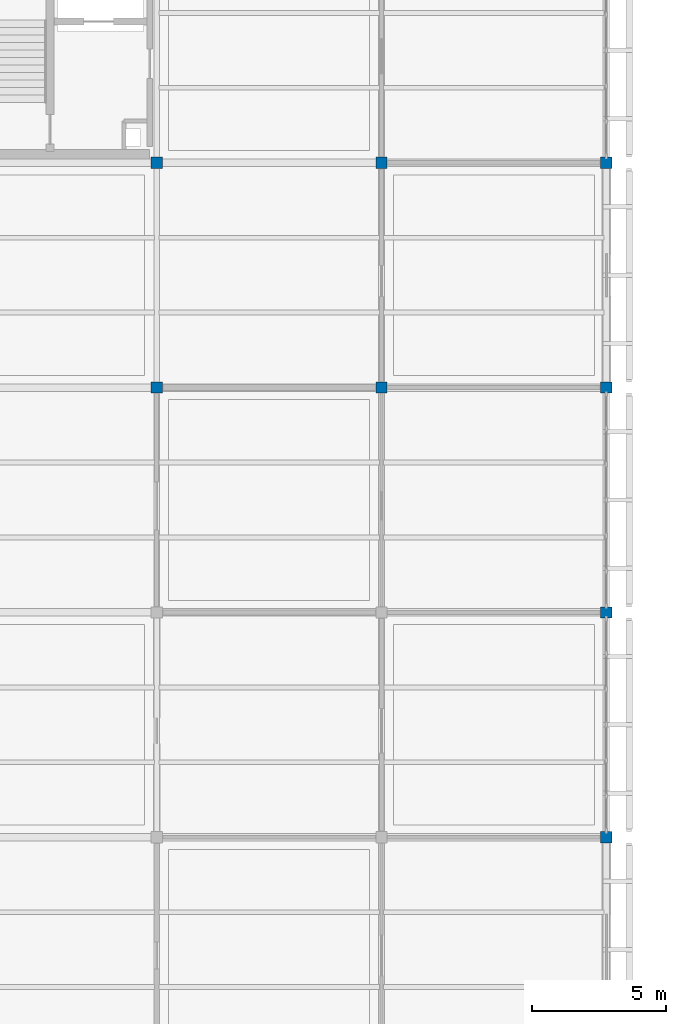
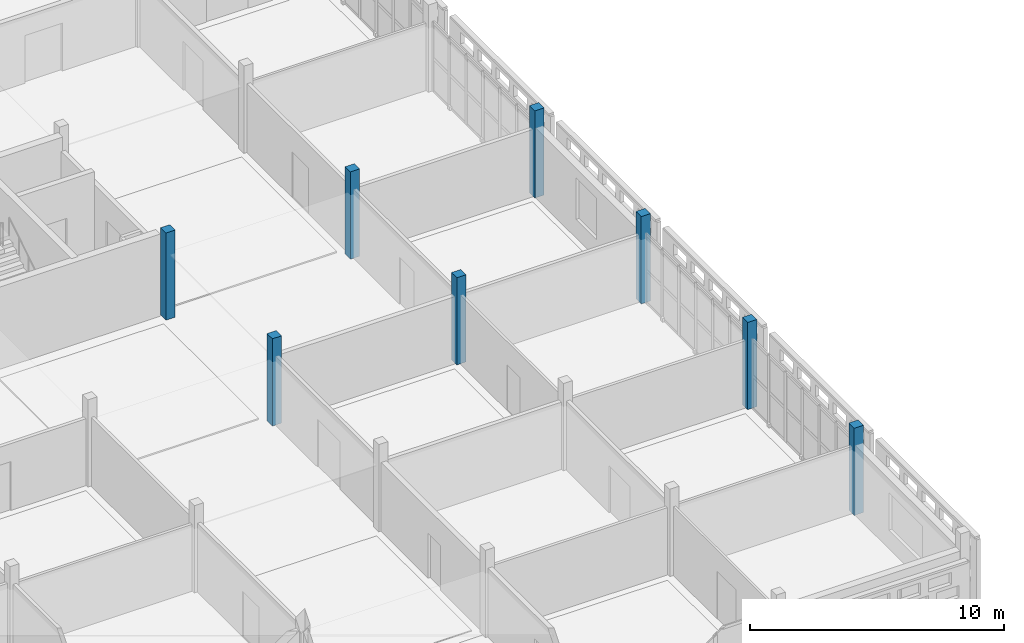
# One storey, part 13 of 166: 8 columns.
"""IFC4 building model written with IfcOpenShell, lengths in metres."""

from ifc_helpers import new_model, si_unit, direction, frame, origin, origin_2d, place, context, subcontext, project, spatial, rectangle, extrude, material, material_profile, profile_set, type_object, element, save


model = new_model("IFC4")

# Units and contexts
model_context = context("Model", 3, precision=1e-05, world=origin(), true_north=direction((0.0, 1.0)))
body_context = subcontext(model_context, "Body", "Model", "MODEL_VIEW")
ifc_project = project(units=[si_unit("LENGTHUNIT", "METRE"), si_unit("AREAUNIT", "SQUARE_METRE"), si_unit("VOLUMEUNIT", "CUBIC_METRE"), si_unit("PLANEANGLEUNIT", "RADIAN"), si_unit("MASSUNIT", "GRAM", prefix="KILO")], contexts=[model_context])

# Site, building, storey
site_placement = place(None, origin())
site = spatial("IfcSite", under=ifc_project, at=site_placement, CompositionType="ELEMENT")
building_placement = place(site_placement, origin())
building = spatial("IfcBuilding", under=site, at=building_placement, Name="Varnapada Polytechnic", CompositionType="ELEMENT")
storey_placement = place(building_placement, frame((0.0, 0.0, 9.60009765625)))
storey = spatial("IfcBuildingStorey", under=building, at=storey_placement, Name="L02", CompositionType="ELEMENT", Elevation=9.60009765625)

# Columns
ifc_material = material(Name="Glulam GL32h", Category="wood")
ifc_material_profile = material_profile(ifc_material, rectangle(XDim=0.419921875, YDim=0.419921875, at=origin_2d()), Name="GL 420x420")
ifc_profile_set = profile_set([ifc_material_profile], Name="Glulam GL32h")
column_type = type_object("IfcColumnType", Name="Column C-23 (GL 420x420)", PredefinedType="COLUMN", material=ifc_profile_set)
for number, where, z_axis, x_axis, name in (
    (1, (159.60009765625, 84.0, 0.0), (0.0, 0.0, 1.0), (1.0, 0.0, 0.0), "L02 column 20/11"),
    (2, (159.60009765625, 92.39990234375, 0.0), (0.0, 0.0, 1.0), (1.0, 0.0, 0.0), "L02 column 20/12"),
    (3, (168.0, 84.0, 0.0), (0.0, 0.0, 1.0), (1.0, 0.0, 0.0), "L02 column 21/11"),
    (4, (168.0, 92.39990234375, 0.0), (0.0, 0.0, 1.0), (1.0, 0.0, 0.0), "L02 column 21/12"),
    (5, (176.39990234375, 67.199951171875, 0.0), (0.0, 0.0, 1.0), (1.0, 0.0, 0.0), "L02 column 22/9"),
    (6, (176.39990234375, 75.60009765625, 0.0), (0.0, 0.0, 1.0), (1.0, 0.0, 0.0), "L02 column 22/10"),
    (7, (176.39990234375, 84.0, 0.0), (0.0, 0.0, 1.0), (1.0, 0.0, 0.0), "L02 column 22/11"),
    (8, (176.39990234375, 92.39990234375, 0.0), (0.0, 0.0, 1.0), (1.0, 0.0, 0.0), "L02 column 22/12"),
):
    element("IfcColumn", number, at=place(storey_placement, frame(where, z_axis=z_axis, x_axis=x_axis)), inside=storey, type_object=column_type, Name=name, PredefinedType="COLUMN", context=body_context, shape_type="SweptSolid", body=[
        extrude(rectangle(XDim=0.419921875, YDim=0.419921875, at=origin_2d()), origin(), (0.0, 0.0, 1.0), 4.199951171875),
    ])

save(model, "model.ifc")
